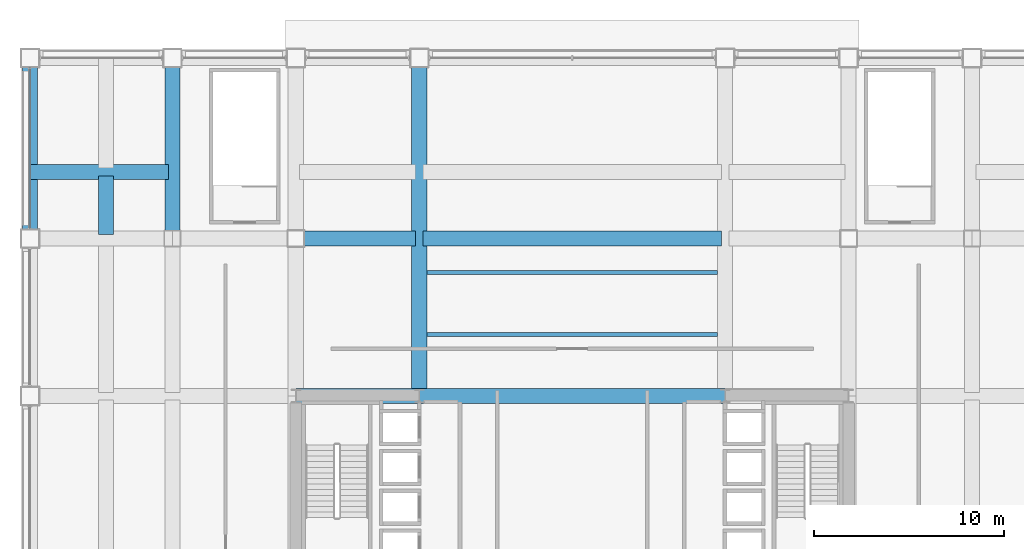
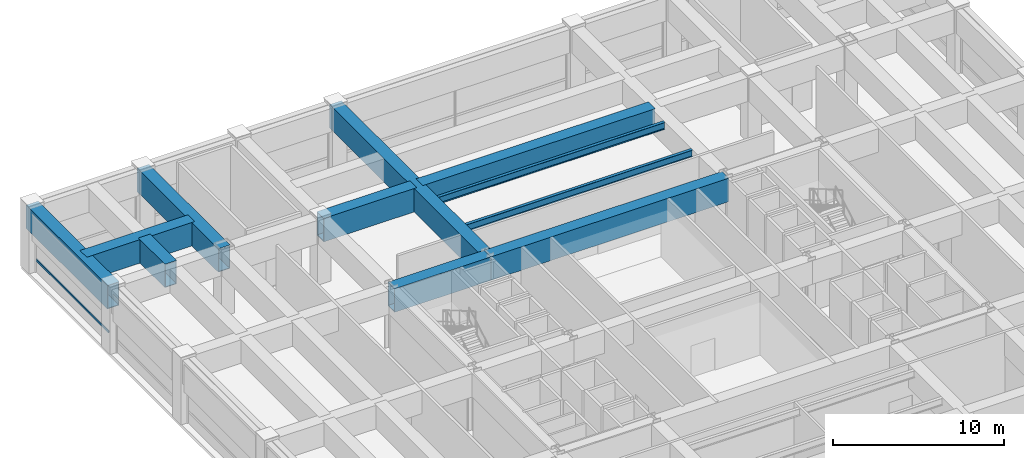
# One storey, part 16 of 30: 11 beams, 1 member, 1 element without a shape of its own.
"""IFC4 building model written with IfcOpenShell, lengths in metres."""

from ifc_helpers import new_model, si_unit, direction, frame, origin, origin_2d, place, context, subcontext, project, spatial, hollow_rectangle, i_section, extrude, material, layer, layer_set, material_profile, profile_set, type_object, element, aggregate, save


model = new_model("IFC4")

# Units and contexts
model_context = context("Model", 3, precision=1e-05, world=origin(), true_north=direction((0.0, 1.0)))
body_context = subcontext(model_context, "Body", "Model", "MODEL_VIEW")
ifc_project = project(units=[si_unit("LENGTHUNIT", "METRE"), si_unit("AREAUNIT", "SQUARE_METRE"), si_unit("VOLUMEUNIT", "CUBIC_METRE"), si_unit("PLANEANGLEUNIT", "RADIAN"), si_unit("MASSUNIT", "GRAM", prefix="KILO")], contexts=[model_context])

# Site, building, storey
site_placement = place(None, origin())
site = spatial("IfcSite", under=ifc_project, at=site_placement, CompositionType="ELEMENT")
building_placement = place(site_placement, origin())
building = spatial("IfcBuilding", under=site, at=building_placement, Name="Brelmoor Portico Tower", CompositionType="ELEMENT")
storey_placement = place(building_placement, frame((0.0, 0.0, 19.199951171875)))
storey = spatial("IfcBuildingStorey", under=building, at=storey_placement, Name="L04", CompositionType="ELEMENT", Elevation=19.199951171875)

# Beams
ifc_material_1 = material(Name="Steel Q355B", Category="steel")
ifc_material_profile_1 = material_profile(ifc_material_1, i_section(OverallWidth=0.199951171875, OverallDepth=0.5, WebThickness=0.010009765625, FlangeThickness=0.01611328125, at=origin_2d()), Name="HN 500x200x10x16")
ifc_profile_set_1 = profile_set([ifc_material_profile_1], Name="Steel Q355B")
beam_type_1 = type_object("IfcBeamType", Name="BM-JS-500", PredefinedType="JOIST", material=ifc_profile_set_1)
for number, where, z_axis, x_axis, name in (
    (1, (-7.64990234375, 13.0, 4.35009765625), (1.0, 0.0, 0.0), (0.0, 1.0, 0.0), "L04 Secondary Composite Joist JS-C03"),
    (2, (-7.64990234375, 16.25, 4.35009765625), (1.0, 0.0, 0.0), (0.0, 1.0, 0.0), "L04 Secondary Composite Joist JS-C04"),
):
    element("IfcBeam", number, at=place(storey_placement, frame(where, z_axis=z_axis, x_axis=x_axis)), inside=storey, type_object=beam_type_1, Name=name, PredefinedType="JOIST", context=body_context, shape_type="SweptSolid", body=[
        extrude(i_section(OverallWidth=0.199951171875, OverallDepth=0.5, WebThickness=0.010009765625, FlangeThickness=0.01611328125, at=origin_2d()), origin(), (0.0, 0.0, 1.0), 15.2998046875),
    ])
ifc_material_profile_2 = material_profile(ifc_material_1, hollow_rectangle(XDim=0.800048828125, YDim=1.679931640625, WallThickness=0.044921875, at=origin_2d()), Name="BOX 800x1680x45")
ifc_profile_set_2 = profile_set([ifc_material_profile_2], Name="Steel Q355B")
beam_type_2 = type_object("IfcBeamType", Name="BM-TG-Z1", PredefinedType="BEAM", material=ifc_profile_set_2)
for number, where, z_axis, x_axis, name in (
    (3, (-28.550048828125, 18.050048828125, 3.760009765625), (0.0, 1.0, 0.0), (-1.0, 0.0, 0.0), "L04 Perimeter Transfer Beam SP-20"),
    (4, (-21.050048828125, 18.050048828125, 3.760009765625), (0.0, 1.0, 0.0), (-1.0, 0.0, 0.0), "L04 Setback Transfer Girder PG-02"),
):
    element("IfcBeam", number, at=place(storey_placement, frame(where, z_axis=z_axis, x_axis=x_axis)), inside=storey, type_object=beam_type_2, Name=name, PredefinedType="BEAM", context=body_context, shape_type="SweptSolid", body=[
        extrude(hollow_rectangle(XDim=0.800048828125, YDim=1.679931640625, WallThickness=0.044921875, at=origin_2d()), origin(), (0.0, 0.0, 1.0), 9.5),
    ])
beam_1_placement = place(storey_placement, frame((-8.050048828125, 9.75, 3.760009765625), z_axis=(0.0, 1.0, 0.0), x_axis=(-1.0, 0.0, 0.0)))
element("IfcBeam", 5, at=beam_1_placement, inside=storey, type_object=beam_type_2, Name="L04 Setback Transfer Girder PG-10", PredefinedType="BEAM", context=body_context, shape_type="SweptSolid", body=[
    extrude(hollow_rectangle(XDim=0.800048828125, YDim=1.679931640625, WallThickness=0.044921875, at=origin_2d()), origin(), (0.0, 0.0, 1.0), 17.800048828125),
])
beam_2_placement = place(storey_placement, frame((-14.550048828125, 9.75, 3.760009765625), z_axis=(1.0, 0.0, 0.0), x_axis=(0.0, 1.0, 0.0)))
element("IfcBeam", 6, at=beam_2_placement, inside=storey, type_object=beam_type_2, Name="L04 Setback Transfer Girder PG-36", PredefinedType="BEAM", context=body_context, shape_type="SweptSolid", body=[
    extrude(hollow_rectangle(XDim=0.800048828125, YDim=1.679931640625, WallThickness=0.044921875, at=origin_2d()), origin(), (0.0, 0.0, 1.0), 6.5),
])
beam_3_placement = place(storey_placement, frame((-8.050048828125, 9.75, 3.760009765625), z_axis=(1.0, 0.0, 0.0), x_axis=(0.0, 1.0, 0.0)))
element("IfcBeam", 7, at=beam_3_placement, inside=storey, type_object=beam_type_2, Name="L04 Setback Transfer Girder PG-37", PredefinedType="BEAM", context=body_context, shape_type="SweptSolid", body=[
    extrude(hollow_rectangle(XDim=0.800048828125, YDim=1.679931640625, WallThickness=0.044921875, at=origin_2d()), origin(), (0.0, 0.0, 1.0), 16.10009765625),
])
beam_4_placement = place(storey_placement, frame((-28.550048828125, 21.550048828125, 3.760009765625), z_axis=(1.0, 0.0, 0.0), x_axis=(0.0, 1.0, 0.0)))
element("IfcBeam", 8, at=beam_4_placement, inside=storey, type_object=beam_type_2, Name="L04 Setback Transfer Girder TGN-08", PredefinedType="BEAM", context=body_context, shape_type="SweptSolid", body=[
    extrude(hollow_rectangle(XDim=0.800048828125, YDim=1.679931640625, WallThickness=0.044921875, at=origin_2d()), origin(), (0.0, 0.0, 1.0), 7.300048828125),
])
beam_5_placement = place(storey_placement, frame((-14.550048828125, 18.050048828125, 3.760009765625), z_axis=(1.0, 0.0, 0.0), x_axis=(0.0, 1.0, 0.0)))
element("IfcBeam", 9, at=beam_5_placement, inside=storey, type_object=beam_type_2, Name="L04 Setback Transfer Girder TGN-22", PredefinedType="BEAM", context=body_context, shape_type="SweptSolid", body=[
    extrude(hollow_rectangle(XDim=0.800048828125, YDim=1.679931640625, WallThickness=0.044921875, at=origin_2d()), origin(), (0.0, 0.0, 1.0), 6.300048828125),
])
beam_6_placement = place(storey_placement, frame((-7.85009765625, 18.050048828125, 3.760009765625), z_axis=(1.0, 0.0, 0.0), x_axis=(0.0, 1.0, 0.0)))
element("IfcBeam", 10, at=beam_6_placement, inside=storey, type_object=beam_type_2, Name="L04 Setback Transfer Girder TGN-23", PredefinedType="BEAM", context=body_context, shape_type="SweptSolid", body=[
    extrude(hollow_rectangle(XDim=0.800048828125, YDim=1.679931640625, WallThickness=0.044921875, at=origin_2d()), origin(), (0.0, 0.0, 1.0), 15.7001953125),
])
beam_7_placement = place(storey_placement, frame((-24.550048828125, 18.25, 3.760009765625), z_axis=(0.0, 1.0, 0.0), x_axis=(-1.0, 0.0, 0.0)))
element("IfcBeam", 11, at=beam_7_placement, inside=storey, type_object=beam_type_2, Name="L04 Setback Transfer Girder TGN-45", PredefinedType="BEAM", context=body_context, shape_type="SweptSolid", body=[
    extrude(hollow_rectangle(XDim=0.800048828125, YDim=1.679931640625, WallThickness=0.044921875, at=origin_2d()), origin(), (0.0, 0.0, 1.0), 3.10009765625),
])

# Curtain wall, member
ifc_material_2 = material(Name="Anodised Aluminium Alloy 6063-T6", Category="aluminium")
ifc_layer = layer(ifc_material_2, 0.179931640625)
ifc_layer_set = layer_set([ifc_layer], Name="Anodised Aluminium Alloy 6063-T6")
curtain_wall_type = type_object("IfcCurtainWallType", Name="CW-PODIUM-ARCH", PredefinedType="NOTDEFINED", material=ifc_layer_set)
curtain_wall_placement = place(storey_placement, origin())
curtain_wall = element("IfcCurtainWall", 12, at=curtain_wall_placement, inside=storey, type_object=curtain_wall_type, Name="L04 Curtain Wall CW-L04-03-6", PredefinedType="NOTDEFINED")
ifc_material_profile_3 = material_profile(ifc_material_2, hollow_rectangle(XDim=0.070068359375, YDim=0.159912109375, WallThickness=0.00390625, at=origin_2d()), Name="ALU TRANSOM 70x160")
ifc_profile_set_3 = profile_set([ifc_material_profile_3], Name="Anodised Aluminium Alloy 6063-T6")
member_type = type_object("IfcMemberType", Name="MB-CW-TRAN-160", PredefinedType="USERDEFINED", material=ifc_profile_set_3)
member_placement = place(storey_placement, frame((-28.550048828125, 18.56005859375, 0.85009765625), z_axis=(0.0, 1.0, 0.0), x_axis=(-1.0, 0.0, 0.0)))
member = element("IfcMember", 13, at=member_placement, type_object=member_type, Name="CW-L04-03-6 Transom 1-00", ObjectType="TRANSOM", PredefinedType="USERDEFINED", context=body_context, shape_type="SweptSolid", body=[
    extrude(hollow_rectangle(XDim=0.070068359375, YDim=0.159912109375, WallThickness=0.00390625, at=origin_2d()), origin(), (0.0, 0.0, 1.0), 8.47998046875),
])
aggregate(curtain_wall, [member])

save(model, "model.ifc")
